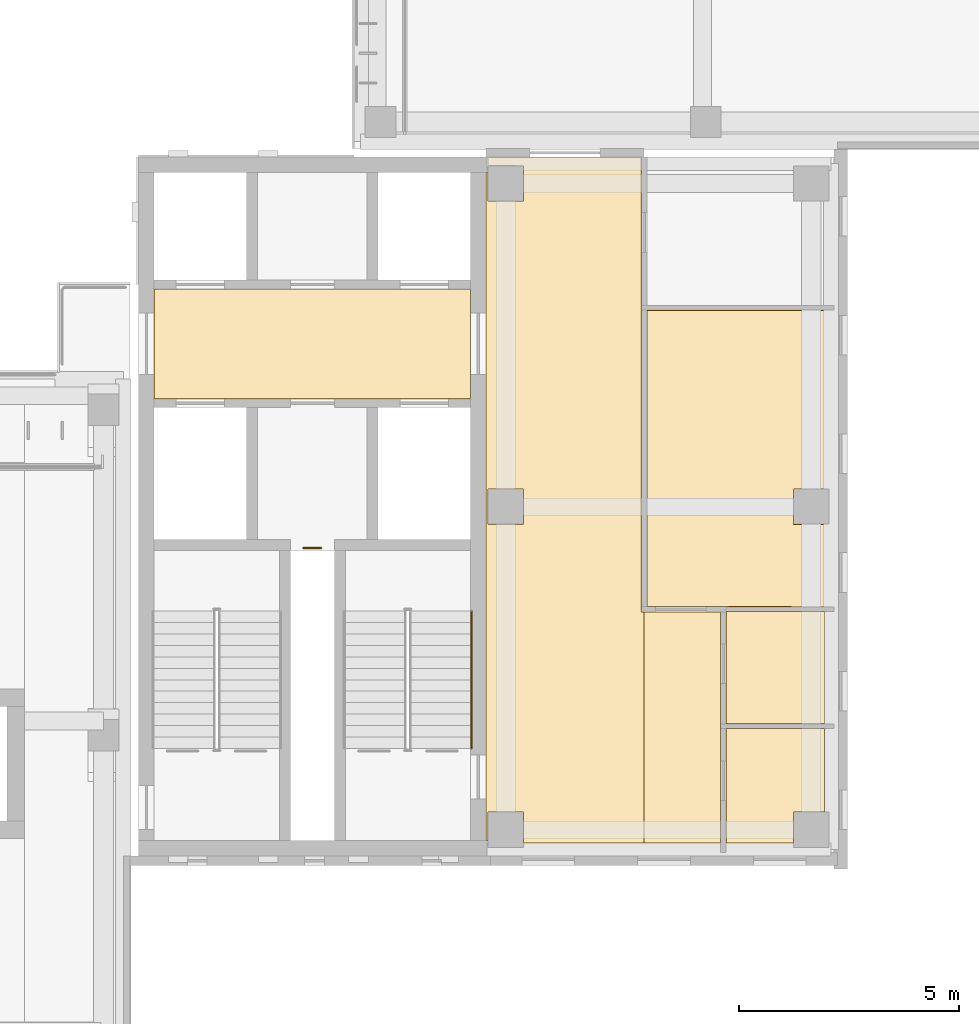
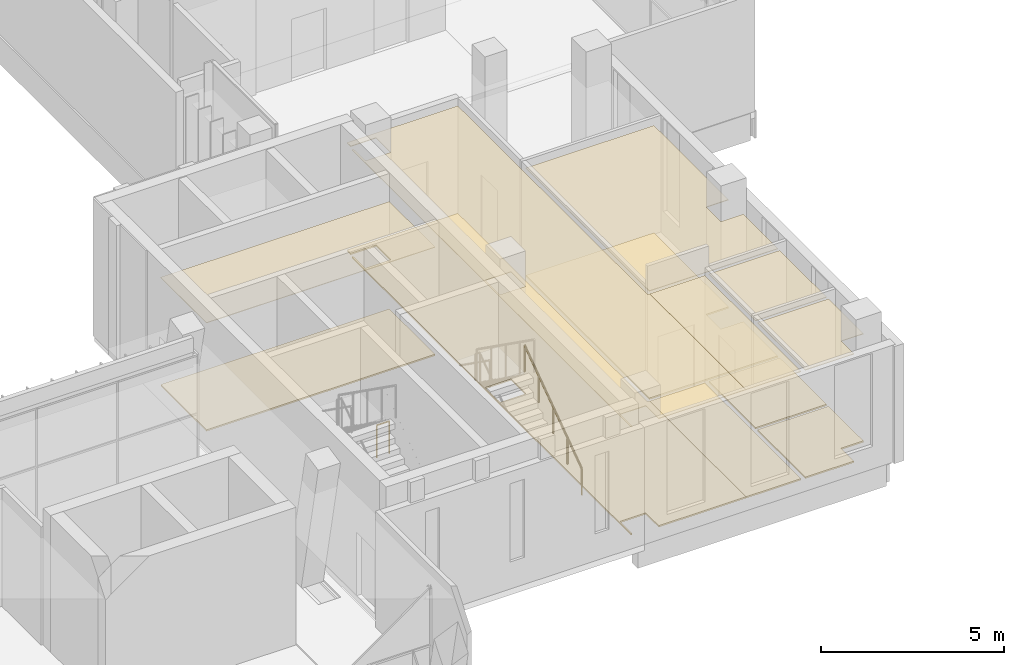
# One storey, part 58 of 73: 12 coverings, 2 railings.
"""IFC4 building model written with IfcOpenShell, lengths in metres."""

import ifcopenshell
import ifcopenshell.guid

model = None  # the IFC model being written
_history = None  # IfcOwnerHistory: only IFC2X3 demands one
_inside = {}  # id of a spatial element -> (the spatial element, [elements in it])
_under = {}  # id of a project, library or spatial element -> (it, [spatial elements below it])
_declared = {}  # id of a project -> (the project, [libraries it declares])
_typed = {}  # id of a type object -> (the type object, [elements of that type])
_made_of = {}  # id of a material, layer set ... -> (it, [elements and type objects made of it])


def new_model(schema):
    """Start an empty IFC model of exactly this schema.

    Asked for "IFC4X3", IfcOpenShell would pick the latest addendum, in which some entities
    have other attributes; the version numbers below select the first issue.
    IFC2X3 requires an IfcOwnerHistory on every rooted entity: one is made here for all.
    """
    global model, _history
    if schema == "IFC4X3":
        model = ifcopenshell.file(schema_version=(4, 3, 0, 0))
    else:
        model = ifcopenshell.file(schema=schema)
    _inside.clear()
    _under.clear()
    _declared.clear()
    _typed.clear()
    _made_of.clear()
    _history = None
    if model.schema == "IFC2X3":
        org = make("IfcOrganization", Name="unknown")
        user = make(
            "IfcPersonAndOrganization",
            ThePerson=make("IfcPerson", FamilyName="unknown"),
            TheOrganization=org,
        )
        app = make(
            "IfcApplication",
            ApplicationDeveloper=org,
            Version="unknown",
            ApplicationFullName="unknown",
            ApplicationIdentifier="unknown",
        )
        _history = make(
            "IfcOwnerHistory",
            OwningUser=user,
            OwningApplication=app,
            ChangeAction="ADDED",
            CreationDate=0,
        )
    return model


def make(cls, **values):
    """One entity of the class cls with the attributes given. An attribute that is None is left unset."""
    return model.create_entity(
        cls, **{name: value for name, value in values.items() if value is not None}
    )


def rooted(cls, **values):
    """An entity with a GlobalId (a new one), such as an element, a storey or a relation."""
    return make(cls, GlobalId=ifcopenshell.guid.new(), OwnerHistory=_history, **values)


def si_unit(unit_type, name, prefix=None):
    """IfcSIUnit, for example si_unit("LENGTHUNIT", "METRE", prefix="MILLI")."""
    return make("IfcSIUnit", UnitType=unit_type, Prefix=prefix, Name=name)


def assignment(units):
    """IfcUnitAssignment: the units of a project."""
    return None if units is None else make("IfcUnitAssignment", Units=units)


def point(xyz):
    """IfcCartesianPoint."""
    return None if xyz is None else make("IfcCartesianPoint", Coordinates=xyz)


def direction(xyz):
    """IfcDirection."""
    return None if xyz is None else make("IfcDirection", DirectionRatios=xyz)


def frame(location, z_axis=None, x_axis=None):
    """IfcAxis2Placement3D, a coordinate frame: its origin and axes. An axis left out is left unset."""
    return make(
        "IfcAxis2Placement3D",
        Location=point(location),
        Axis=direction(z_axis),
        RefDirection=direction(x_axis),
    )


def frame_2d(location, x_axis=None):
    """IfcAxis2Placement2D, a coordinate frame in the plane: its origin and x axis."""
    return make(
        "IfcAxis2Placement2D", Location=point(location), RefDirection=direction(x_axis)
    )


def origin():
    """The frame at (0, 0, 0) with its axes left unset."""
    return frame((0.0, 0.0, 0.0))


def origin_2d():
    """The frame at (0, 0) in the plane with its x axis left unset."""
    return frame_2d((0.0, 0.0))


def place(relative_to, where):
    """IfcLocalPlacement: puts the frame where relative to a parent placement (None: the world)."""
    return make(
        "IfcLocalPlacement", PlacementRelTo=relative_to, RelativePlacement=where
    )


def context(
    kind, dimensions, precision=None, world=None, true_north=None, identifier=None
):
    """IfcGeometricRepresentationContext, for example the 3D "Model" context."""
    return make(
        "IfcGeometricRepresentationContext",
        ContextIdentifier=identifier,
        ContextType=kind,
        CoordinateSpaceDimension=dimensions,
        Precision=precision,
        WorldCoordinateSystem=world,
        TrueNorth=true_north,
    )


def subcontext(parent, identifier, kind, view, scale=None):
    """IfcGeometricRepresentationSubContext, for example "Body" below "Model"."""
    return make(
        "IfcGeometricRepresentationSubContext",
        ContextIdentifier=identifier,
        ContextType=kind,
        ParentContext=parent,
        TargetScale=scale,
        TargetView=view,
    )


def project(units=None, contexts=None):
    """IfcProject with its units and contexts."""
    return rooted(
        "IfcProject",
        Name="project",
        RepresentationContexts=contexts,
        UnitsInContext=assignment(units),
    )


def spatial(cls, under=None, at=None, **own):
    """A site, building, storey or space (cls), placed at a placement, below another one or the project."""
    s = rooted(cls, ObjectPlacement=at, **own)
    if under is not None:
        _under.setdefault(under.id(), (under, []))[1].append(s)
    return s


def polyline(points):
    """IfcPolyline through the points."""
    return make("IfcPolyline", Points=[point(p) for p in points])


def profile(cls, at=None, kind="AREA", **sizes):
    """A parametric profile (cls). Its sizes go by their IFC names, for example OverallWidth=200.0."""
    return make(cls, ProfileType=kind, Position=at, **sizes)


def circle(**sizes):
    """IfcCircleProfileDef."""
    return profile("IfcCircleProfileDef", **sizes)


def outline(outer, holes=None, kind="AREA"):
    """IfcArbitraryClosedProfileDef: a profile drawn as a closed curve; with holes, ...WithVoids."""
    if holes is None:
        return make("IfcArbitraryClosedProfileDef", ProfileType=kind, OuterCurve=outer)
    return make(
        "IfcArbitraryProfileDefWithVoids",
        ProfileType=kind,
        OuterCurve=outer,
        InnerCurves=holes,
    )


def extrude(swept, where, along, depth):
    """IfcExtrudedAreaSolid: the profile swept, set in the frame where, extruded along a direction by depth."""
    return make(
        "IfcExtrudedAreaSolid",
        SweptArea=swept,
        Position=where,
        ExtrudedDirection=direction(along),
        Depth=depth,
    )


def shape(context_of_items, identifier, shape_type, items):
    """IfcShapeRepresentation: the items that make up one representation, for example the "Body"."""
    return make(
        "IfcShapeRepresentation",
        ContextOfItems=context_of_items,
        RepresentationIdentifier=identifier,
        RepresentationType=shape_type,
        Items=items,
    )


def material(Name=None, Category=None):
    """IfcMaterial."""
    return make("IfcMaterial", Name=Name, Category=Category)


def layer(
    of_material, thickness, ventilated=None, Name=None, Category=None, Priority=None
):
    """IfcMaterialLayer: one layer of a wall or slab, of a material (None: an air gap)."""
    return make(
        "IfcMaterialLayer",
        Material=of_material,
        LayerThickness=thickness,
        IsVentilated=ventilated,
        Name=Name,
        Category=Category,
        Priority=Priority,
    )


def layer_set(layers, Name=None):
    """IfcMaterialLayerSet."""
    return make("IfcMaterialLayerSet", MaterialLayers=layers, LayerSetName=Name)


def made_of(thing, what):
    """Note that an element or type object is made of a material, layer set ...; save() writes the relation."""
    if what is not None:
        _made_of.setdefault(what.id(), (what, []))[1].append(thing)
    return thing


def type_object(cls, material=None, **own):
    """A type object (cls), such as IfcWallType, which elements share."""
    return made_of(rooted(cls, **own), material)


def element(
    cls,
    number,
    at=None,
    inside=None,
    cuts=None,
    type_object=None,
    material=None,
    context=None,
    identifier="Body",
    shape_type=None,
    held_by="IfcProductDefinitionShape",
    body=None,
    shapes=None,
    **own,
):
    """One element of the class cls, such as IfcWall. Its Tag is "e" and its number.

    at: its placement. inside: the storey or other place that contains it. cuts: it is an
    opening in that element (IfcRelVoidsElement). A single representation is given by context,
    identifier, shape_type and body (its items); several are given by shapes. held_by: the class
    of the entity that holds the representations. save() writes the other relations.
    """
    e = rooted(cls, Tag="e%d" % number, ObjectPlacement=at, **own)
    if body is not None:
        shapes = [shape(context, identifier, shape_type, body)]
    if shapes is not None:
        e.Representation = make(held_by, Representations=shapes)
    if inside is not None:
        _inside.setdefault(inside.id(), (inside, []))[1].append(e)
    if cuts is not None:
        rooted(
            "IfcRelVoidsElement", RelatingBuildingElement=cuts, RelatedOpeningElement=e
        )
    if type_object is not None:
        _typed.setdefault(type_object.id(), (type_object, []))[1].append(e)
    return made_of(e, material)


def aggregate(whole, parts):
    """IfcRelAggregates: a whole, such as a stair, and the parts it consists of."""
    return rooted("IfcRelAggregates", RelatingObject=whole, RelatedObjects=parts)


def save(model, path):
    """Write the relations noted so far, then the file.

    IfcRelAggregates (storeys below a building ...), IfcRelContainedInSpatialStructure (elements
    in a storey), IfcRelDefinesByType, IfcRelAssociatesMaterial and IfcRelDeclares: one each for
    every whole, place, type object, material and project.
    """
    for whole, parts in _under.values():
        aggregate(whole, parts)
    for where, things in _inside.values():
        rooted(
            "IfcRelContainedInSpatialStructure",
            RelatedElements=things,
            RelatingStructure=where,
        )
    for kind, things in _typed.values():
        rooted("IfcRelDefinesByType", RelatedObjects=things, RelatingType=kind)
    for what, things in _made_of.values():
        rooted("IfcRelAssociatesMaterial", RelatedObjects=things, RelatingMaterial=what)
    for by, libraries in _declared.values():
        rooted("IfcRelDeclares", RelatingContext=by, RelatedDefinitions=libraries)
    model.write(path)


model = new_model("IFC4")

# Units and contexts
model_context = context("Model", 3, precision=1e-05, world=origin(), true_north=direction((0.0, 1.0)))
body_context = subcontext(model_context, "Body", "Model", "MODEL_VIEW")
ifc_project = project(units=[si_unit("LENGTHUNIT", "METRE"), si_unit("AREAUNIT", "SQUARE_METRE"), si_unit("VOLUMEUNIT", "CUBIC_METRE"), si_unit("PLANEANGLEUNIT", "RADIAN"), si_unit("MASSUNIT", "GRAM", prefix="KILO")], contexts=[model_context])

# Site, building, storey
site_placement = place(None, origin())
site = spatial("IfcSite", under=ifc_project, at=site_placement, CompositionType="ELEMENT")
building_placement = place(site_placement, origin())
building = spatial("IfcBuilding", under=site, at=building_placement, Name="Lantern Court Media Centre", CompositionType="ELEMENT")
storey_placement = place(building_placement, frame((0.0, 0.0, 24.0)))
storey = spatial("IfcBuildingStorey", under=building, at=storey_placement, Name="L05", CompositionType="ELEMENT", Elevation=24.0)

# Coverings
ifc_material_1 = material(Name="Carpet")
ifc_layer_1 = layer(ifc_material_1, 0.050048828125)
ifc_layer_set_1 = layer_set([ifc_layer_1], Name="Carpet")
covering_type_1 = type_object("IfcCoveringType", Name="Carpet floor finish", PredefinedType="FLOORING", material=ifc_layer_set_1)
covering_1_placement = place(storey_placement, origin())
element("IfcCovering", 1, at=covering_1_placement, inside=storey, type_object=covering_type_1, Name="Exhibition Gallery floor finish", PredefinedType="FLOORING", context=body_context, shape_type="SweptSolid", body=[
    extrude(outline(polyline([(95.699951171875, 53.6689453125), (91.66748046875, 53.681396484375), (91.66748046875, 60.416015625), (95.699951171875, 60.416015625), (95.699951171875, 56.35498046875), (94.9951171875, 56.35009765625), (94.99609375, 55.546875), (95.699951171875, 55.544921875), (95.699951171875, 53.6689453125)])), origin(), (0.0, 0.0, 1.0), 0.050048828125),
])
covering_2_placement = place(storey_placement, origin())
element("IfcCovering", 2, at=covering_2_placement, inside=storey, type_object=covering_type_1, Name="WC Male floor finish", PredefinedType="FLOORING", context=body_context, shape_type="SweptSolid", body=[
    extrude(outline(polyline([(95.699951171875, 49.0048828125), (94.99658203125, 49.00341796875), (94.9951171875, 48.300048828125), (93.467529296875, 48.300048828125), (93.467529296875, 50.902099609375), (95.699951171875, 50.902099609375), (95.699951171875, 49.0048828125)])), origin(), (0.0, 0.0, 1.0), 0.050048828125),
])
covering_3_placement = place(storey_placement, origin())
element("IfcCovering", 3, at=covering_3_placement, inside=storey, type_object=covering_type_1, Name="WC Female floor finish", PredefinedType="FLOORING", context=body_context, shape_type="SweptSolid", body=[
    extrude(outline(polyline([(95.699951171875, 51.011962890625), (93.467529296875, 51.011962890625), (93.467529296875, 53.55908203125), (95.699951171875, 53.55908203125), (95.699951171875, 51.011962890625)])), origin(), (0.0, 0.0, 1.0), 0.050048828125),
])

# Railings
ifc_material_2 = material(Name="Powder-coated steel", Category="steel")
railing_type_1 = type_object("IfcRailingType", Name="Floor edge guard 1100", PredefinedType="GUARDRAIL", material=ifc_material_2)
railing_1_placement = place(storey_placement, frame((83.85009765625, 55.010009765625, 0.0)))
element("IfcRailing", 4, at=railing_1_placement, inside=storey, type_object=railing_type_1, Name="L05 opening guard 131", PredefinedType="GUARDRAIL", context=body_context, shape_type="SweptSolid", body=[
    extrude(circle(Radius=0.02392578125, at=origin_2d()), frame((0.0, 0.0, 1.076171875), z_axis=(1.0, 0.0, 0.0), x_axis=(0.0, 1.0, 0.0)), (0.0, 0.0, 1.0), 0.39990234375),
    extrude(circle(Radius=0.02099609375, at=origin_2d()), origin(), (0.0, 0.0, 1.0), 1.052001953125),
    extrude(circle(Radius=0.02099609375, at=origin_2d()), frame((0.39990234375, 0.0, 0.0)), (0.0, 0.0, 1.0), 1.052001953125),
])
railing_type_2 = type_object("IfcRailingType", Name="Stair handrail 900", PredefinedType="HANDRAIL", material=ifc_material_2)
railing_2_placement = place(storey_placement, frame((87.674072265625, 50.449951171875, 0.1845703125)))
element("IfcRailing", 5, at=railing_2_placement, inside=storey, type_object=railing_type_2, Name="L05 ST-SEA stair handrail 1", PredefinedType="HANDRAIL", context=body_context, shape_type="SweptSolid", body=[
    extrude(circle(Radius=0.02392578125, at=origin_2d()), frame((0.0, 0.0, 0.8759765625), z_axis=(0.0, 0.815376961211, 0.578930402662), x_axis=(-1.0, 0.0, 0.0)), (0.0, 0.0, 1.0), 3.82666015625),
    extrude(circle(Radius=0.02099609375, at=origin_2d()), origin(), (0.0, 0.0, 1.0), 0.851806640625),
    extrude(circle(Radius=0.02099609375, at=origin_2d()), frame((0.0, 0.780029296875, 0.5537109375)), (0.0, 0.0, 1.0), 0.851806640625),
    extrude(circle(Radius=0.02099609375, at=origin_2d()), frame((0.0, 1.56005859375, 1.107666015625)), (0.0, 0.0, 1.0), 0.851806640625),
    extrude(circle(Radius=0.02099609375, at=origin_2d()), frame((0.0, 2.340087890625, 1.66162109375)), (0.0, 0.0, 1.0), 0.851806640625),
    extrude(circle(Radius=0.02099609375, at=origin_2d()), frame((0.0, 3.1201171875, 2.21533203125)), (0.0, 0.0, 1.0), 0.851806640625),
])

# Coverings
ifc_material_3 = material(Name="Mineral fibre ceiling tile")
ifc_layer_2 = layer(ifc_material_3, 0.02001953125)
ifc_layer_set_2 = layer_set([ifc_layer_2], Name="Mineral fibre ceiling tile")
covering_type_2 = type_object("IfcCoveringType", Name="Suspended ceiling tile", PredefinedType="CEILING", material=ifc_layer_set_2)
covering_4_placement = place(storey_placement, frame((0.0, 0.0, 3.60009765625)))
element("IfcCovering", 6, at=covering_4_placement, inside=storey, type_object=covering_type_2, Name="Lift Lobby ceiling", PredefinedType="CEILING", context=body_context, shape_type="SweptSolid", body=[
    extrude(outline(polyline([(87.6494140625, 58.400390625), (80.450439453125, 58.400390625), (80.450439453125, 60.8994140625), (87.6494140625, 60.8994140625), (87.6494140625, 58.400390625)])), origin(), (0.0, 0.0, 1.0), 0.02001953125),
])
covering_5_placement = place(storey_placement, frame((0.0, 0.0, 3.60009765625)))
element("IfcCovering", 7, at=covering_5_placement, inside=storey, type_object=covering_type_2, Name="Corridor ceiling", PredefinedType="CEILING", context=body_context, shape_type="SweptSolid", body=[
    extrude(outline(polyline([(91.60009765625, 48.300048828125), (88.8505859375, 48.300048828125), (88.85009765625, 49.00048828125), (88.049560546875, 49.00048828125), (88.049560546875, 48.3505859375), (88.00048828125, 48.3505859375), (88.00048828125, 63.549560546875), (88.049560546875, 63.549560546875), (88.049560546875, 62.899658203125), (88.8505859375, 62.89990234375), (88.850341796875, 63.700439453125), (88.050537109375, 63.700439453125), (88.050537109375, 63.8994140625), (91.537109375, 63.8994140625), (91.537109375, 53.551513671875), (91.60009765625, 53.551025390625), (91.60009765625, 48.300048828125)]), holes=[polyline([(88.8505859375, 56.35009765625), (88.049560546875, 56.350341796875), (88.049560546875, 55.549560546875), (88.850341796875, 55.549560546875), (88.8505859375, 56.35009765625)])]), origin(), (0.0, 0.0, 1.0), 0.02001953125),
])
covering_6_placement = place(storey_placement, frame((0.0, 0.0, 3.60009765625)))
element("IfcCovering", 8, at=covering_6_placement, inside=storey, type_object=covering_type_2, Name="Exhibition Gallery ceiling", PredefinedType="CEILING", context=body_context, shape_type="SweptSolid", body=[
    extrude(outline(polyline([(95.699951171875, 53.66455078125), (91.6630859375, 53.677001953125), (91.6630859375, 60.42041015625), (95.699951171875, 60.42041015625), (95.699951171875, 56.3505859375), (94.99951171875, 56.35009765625), (94.99951171875, 55.549560546875), (95.699951171875, 55.549560546875), (95.699951171875, 53.66455078125)])), origin(), (0.0, 0.0, 1.0), 0.02001953125),
])
covering_7_placement = place(storey_placement, frame((0.0, 0.0, 3.60009765625)))
element("IfcCovering", 9, at=covering_7_placement, inside=storey, type_object=covering_type_2, Name="WC Lobby ceiling", PredefinedType="CEILING", context=body_context, shape_type="SweptSolid", body=[
    extrude(outline(polyline([(91.60009765625, 48.300048828125), (91.60009765625, 53.551025390625), (93.3369140625, 53.551025390625), (93.3369140625, 48.300048828125), (91.60009765625, 48.300048828125)])), origin(), (0.0, 0.0, 1.0), 0.02001953125),
])
covering_8_placement = place(storey_placement, frame((0.0, 0.0, 3.60009765625)))
element("IfcCovering", 10, at=covering_8_placement, inside=storey, type_object=covering_type_2, Name="WC Male ceiling", PredefinedType="CEILING", context=body_context, shape_type="SweptSolid", body=[
    extrude(outline(polyline([(95.699951171875, 49.00048828125), (94.999755859375, 49.000244140625), (94.99951171875, 48.300048828125), (93.462890625, 48.300048828125), (93.462890625, 50.906494140625), (95.699951171875, 50.906494140625), (95.699951171875, 49.00048828125)])), origin(), (0.0, 0.0, 1.0), 0.02001953125),
])
covering_9_placement = place(storey_placement, frame((0.0, 0.0, 3.60009765625)))
element("IfcCovering", 11, at=covering_9_placement, inside=storey, type_object=covering_type_2, Name="WC Female ceiling", PredefinedType="CEILING", context=body_context, shape_type="SweptSolid", body=[
    extrude(outline(polyline([(95.699951171875, 51.007568359375), (93.462890625, 51.007568359375), (93.462890625, 53.5634765625), (95.699951171875, 53.5634765625), (95.699951171875, 51.007568359375)])), origin(), (0.0, 0.0, 1.0), 0.02001953125),
])
ifc_material_4 = material(Name="Terrazzo")
ifc_layer_3 = layer(ifc_material_4, 0.050048828125)
ifc_layer_set_3 = layer_set([ifc_layer_3], Name="Terrazzo")
covering_type_3 = type_object("IfcCoveringType", Name="Terrazzo floor finish", PredefinedType="FLOORING", material=ifc_layer_set_3)
covering_10_placement = place(storey_placement, origin())
element("IfcCovering", 12, at=covering_10_placement, inside=storey, type_object=covering_type_3, Name="Lift Lobby floor finish", PredefinedType="FLOORING", context=body_context, shape_type="SweptSolid", body=[
    extrude(outline(polyline([(87.64501953125, 58.405029296875), (80.455078125, 58.405029296875), (80.455078125, 60.89501953125), (87.64501953125, 60.89501953125), (87.64501953125, 58.405029296875)])), origin(), (0.0, 0.0, 1.0), 0.050048828125),
])
covering_11_placement = place(storey_placement, origin())
element("IfcCovering", 13, at=covering_11_placement, inside=storey, type_object=covering_type_3, Name="Corridor floor finish", PredefinedType="FLOORING", context=body_context, shape_type="SweptSolid", body=[
    extrude(outline(polyline([(91.60009765625, 48.300048828125), (88.85498046875, 48.300048828125), (88.85009765625, 49.0048828125), (88.046875, 49.00390625), (88.044921875, 48.35498046875), (88.0048828125, 48.35498046875), (88.0048828125, 63.544921875), (88.044921875, 63.544921875), (88.046875, 62.896240234375), (88.85498046875, 62.89990234375), (88.853759765625, 63.703125), (88.054931640625, 63.705078125), (88.054931640625, 63.89501953125), (91.532470703125, 63.89501953125), (91.532470703125, 53.551513671875), (91.60009765625, 53.54638671875), (91.60009765625, 48.300048828125)]), holes=[polyline([(88.85009765625, 55.544921875), (88.853515625, 56.353515625), (88.04638671875, 56.353515625), (88.04638671875, 55.54638671875), (88.85009765625, 55.544921875)])]), origin(), (0.0, 0.0, 1.0), 0.050048828125),
])
covering_12_placement = place(storey_placement, origin())
element("IfcCovering", 14, at=covering_12_placement, inside=storey, type_object=covering_type_3, Name="WC Lobby floor finish", PredefinedType="FLOORING", context=body_context, shape_type="SweptSolid", body=[
    extrude(outline(polyline([(91.60009765625, 48.300048828125), (91.60009765625, 53.54638671875), (93.33251953125, 53.54638671875), (93.33251953125, 48.300048828125), (91.60009765625, 48.300048828125)])), origin(), (0.0, 0.0, 1.0), 0.050048828125),
])

save(model, "model.ifc")
